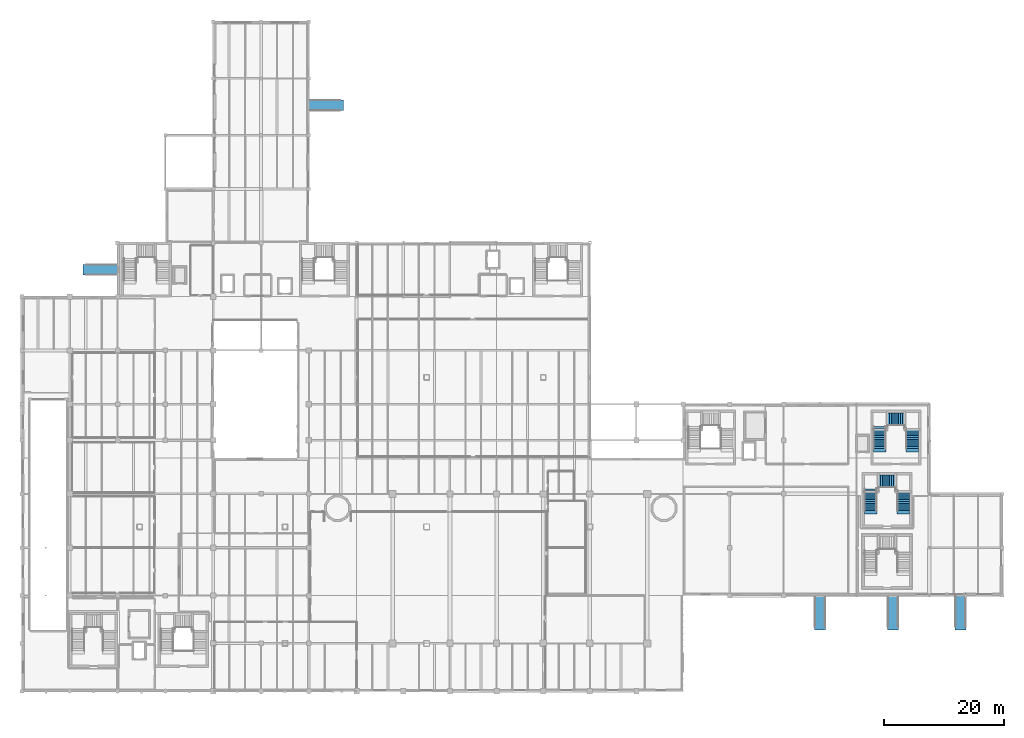
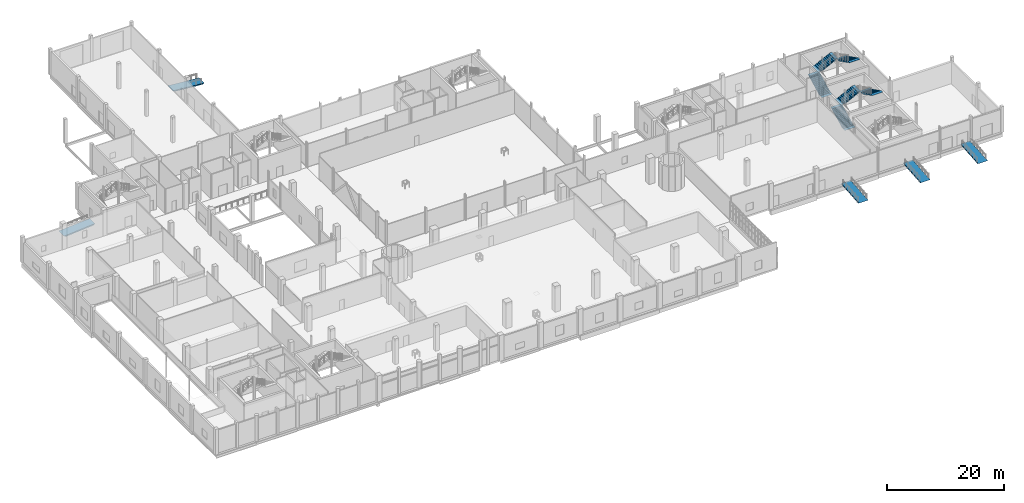
# One storey, part 49 of 57: 6 stair flights, 5 ramp flights, 7 elements without a shape of their own.
"""IFC4 building model written with IfcOpenShell, lengths in metres."""

import ifcopenshell
import ifcopenshell.guid

model = None  # the IFC model being written
_history = None  # IfcOwnerHistory: only IFC2X3 demands one
_inside = {}  # id of a spatial element -> (the spatial element, [elements in it])
_under = {}  # id of a project, library or spatial element -> (it, [spatial elements below it])
_declared = {}  # id of a project -> (the project, [libraries it declares])
_typed = {}  # id of a type object -> (the type object, [elements of that type])
_made_of = {}  # id of a material, layer set ... -> (it, [elements and type objects made of it])


def new_model(schema):
    """Start an empty IFC model of exactly this schema.

    Asked for "IFC4X3", IfcOpenShell would pick the latest addendum, in which some entities
    have other attributes; the version numbers below select the first issue.
    IFC2X3 requires an IfcOwnerHistory on every rooted entity: one is made here for all.
    """
    global model, _history
    if schema == "IFC4X3":
        model = ifcopenshell.file(schema_version=(4, 3, 0, 0))
    else:
        model = ifcopenshell.file(schema=schema)
    _inside.clear()
    _under.clear()
    _declared.clear()
    _typed.clear()
    _made_of.clear()
    _history = None
    if model.schema == "IFC2X3":
        org = make("IfcOrganization", Name="unknown")
        user = make(
            "IfcPersonAndOrganization",
            ThePerson=make("IfcPerson", FamilyName="unknown"),
            TheOrganization=org,
        )
        app = make(
            "IfcApplication",
            ApplicationDeveloper=org,
            Version="unknown",
            ApplicationFullName="unknown",
            ApplicationIdentifier="unknown",
        )
        _history = make(
            "IfcOwnerHistory",
            OwningUser=user,
            OwningApplication=app,
            ChangeAction="ADDED",
            CreationDate=0,
        )
    return model


def make(cls, **values):
    """One entity of the class cls with the attributes given. An attribute that is None is left unset."""
    return model.create_entity(
        cls, **{name: value for name, value in values.items() if value is not None}
    )


def rooted(cls, **values):
    """An entity with a GlobalId (a new one), such as an element, a storey or a relation."""
    return make(cls, GlobalId=ifcopenshell.guid.new(), OwnerHistory=_history, **values)


def si_unit(unit_type, name, prefix=None):
    """IfcSIUnit, for example si_unit("LENGTHUNIT", "METRE", prefix="MILLI")."""
    return make("IfcSIUnit", UnitType=unit_type, Prefix=prefix, Name=name)


def derived_unit(unit_type, elements):
    """IfcDerivedUnit: a product of units, each with its exponent."""
    return make(
        "IfcDerivedUnit",
        Elements=[
            make("IfcDerivedUnitElement", Unit=unit, Exponent=power)
            for unit, power in elements
        ],
        UnitType=unit_type,
    )


def assignment(units):
    """IfcUnitAssignment: the units of a project."""
    return None if units is None else make("IfcUnitAssignment", Units=units)


def point(xyz):
    """IfcCartesianPoint."""
    return None if xyz is None else make("IfcCartesianPoint", Coordinates=xyz)


def direction(xyz):
    """IfcDirection."""
    return None if xyz is None else make("IfcDirection", DirectionRatios=xyz)


def frame(location, z_axis=None, x_axis=None):
    """IfcAxis2Placement3D, a coordinate frame: its origin and axes. An axis left out is left unset."""
    return make(
        "IfcAxis2Placement3D",
        Location=point(location),
        Axis=direction(z_axis),
        RefDirection=direction(x_axis),
    )


def origin():
    """The frame at (0, 0, 0) with its axes left unset."""
    return frame((0.0, 0.0, 0.0))


def place(relative_to, where):
    """IfcLocalPlacement: puts the frame where relative to a parent placement (None: the world)."""
    return make(
        "IfcLocalPlacement", PlacementRelTo=relative_to, RelativePlacement=where
    )


def context(
    kind, dimensions, precision=None, world=None, true_north=None, identifier=None
):
    """IfcGeometricRepresentationContext, for example the 3D "Model" context."""
    return make(
        "IfcGeometricRepresentationContext",
        ContextIdentifier=identifier,
        ContextType=kind,
        CoordinateSpaceDimension=dimensions,
        Precision=precision,
        WorldCoordinateSystem=world,
        TrueNorth=true_north,
    )


def subcontext(parent, identifier, kind, view, scale=None):
    """IfcGeometricRepresentationSubContext, for example "Body" below "Model"."""
    return make(
        "IfcGeometricRepresentationSubContext",
        ContextIdentifier=identifier,
        ContextType=kind,
        ParentContext=parent,
        TargetScale=scale,
        TargetView=view,
    )


def project(units=None, contexts=None):
    """IfcProject with its units and contexts."""
    return rooted(
        "IfcProject",
        Name="project",
        RepresentationContexts=contexts,
        UnitsInContext=assignment(units),
    )


def spatial(cls, under=None, at=None, **own):
    """A site, building, storey or space (cls), placed at a placement, below another one or the project."""
    s = rooted(cls, ObjectPlacement=at, **own)
    if under is not None:
        _under.setdefault(under.id(), (under, []))[1].append(s)
    return s


def polyline(points):
    """IfcPolyline through the points."""
    return make("IfcPolyline", Points=[point(p) for p in points])


def outline(outer, holes=None, kind="AREA"):
    """IfcArbitraryClosedProfileDef: a profile drawn as a closed curve; with holes, ...WithVoids."""
    if holes is None:
        return make("IfcArbitraryClosedProfileDef", ProfileType=kind, OuterCurve=outer)
    return make(
        "IfcArbitraryProfileDefWithVoids",
        ProfileType=kind,
        OuterCurve=outer,
        InnerCurves=holes,
    )


def extrude(swept, where, along, depth):
    """IfcExtrudedAreaSolid: the profile swept, set in the frame where, extruded along a direction by depth."""
    return make(
        "IfcExtrudedAreaSolid",
        SweptArea=swept,
        Position=where,
        ExtrudedDirection=direction(along),
        Depth=depth,
    )


def shape(context_of_items, identifier, shape_type, items):
    """IfcShapeRepresentation: the items that make up one representation, for example the "Body"."""
    return make(
        "IfcShapeRepresentation",
        ContextOfItems=context_of_items,
        RepresentationIdentifier=identifier,
        RepresentationType=shape_type,
        Items=items,
    )


def material(Name=None, Category=None):
    """IfcMaterial."""
    return make("IfcMaterial", Name=Name, Category=Category)


def layer(
    of_material, thickness, ventilated=None, Name=None, Category=None, Priority=None
):
    """IfcMaterialLayer: one layer of a wall or slab, of a material (None: an air gap)."""
    return make(
        "IfcMaterialLayer",
        Material=of_material,
        LayerThickness=thickness,
        IsVentilated=ventilated,
        Name=Name,
        Category=Category,
        Priority=Priority,
    )


def layer_set(layers, Name=None):
    """IfcMaterialLayerSet."""
    return make("IfcMaterialLayerSet", MaterialLayers=layers, LayerSetName=Name)


def made_of(thing, what):
    """Note that an element or type object is made of a material, layer set ...; save() writes the relation."""
    if what is not None:
        _made_of.setdefault(what.id(), (what, []))[1].append(thing)
    return thing


def type_object(cls, material=None, **own):
    """A type object (cls), such as IfcWallType, which elements share."""
    return made_of(rooted(cls, **own), material)


def element(
    cls,
    number,
    at=None,
    inside=None,
    cuts=None,
    type_object=None,
    material=None,
    context=None,
    identifier="Body",
    shape_type=None,
    held_by="IfcProductDefinitionShape",
    body=None,
    shapes=None,
    **own,
):
    """One element of the class cls, such as IfcWall. Its Tag is "e" and its number.

    at: its placement. inside: the storey or other place that contains it. cuts: it is an
    opening in that element (IfcRelVoidsElement). A single representation is given by context,
    identifier, shape_type and body (its items); several are given by shapes. held_by: the class
    of the entity that holds the representations. save() writes the other relations.
    """
    e = rooted(cls, Tag="e%d" % number, ObjectPlacement=at, **own)
    if body is not None:
        shapes = [shape(context, identifier, shape_type, body)]
    if shapes is not None:
        e.Representation = make(held_by, Representations=shapes)
    if inside is not None:
        _inside.setdefault(inside.id(), (inside, []))[1].append(e)
    if cuts is not None:
        rooted(
            "IfcRelVoidsElement", RelatingBuildingElement=cuts, RelatedOpeningElement=e
        )
    if type_object is not None:
        _typed.setdefault(type_object.id(), (type_object, []))[1].append(e)
    return made_of(e, material)


def aggregate(whole, parts):
    """IfcRelAggregates: a whole, such as a stair, and the parts it consists of."""
    return rooted("IfcRelAggregates", RelatingObject=whole, RelatedObjects=parts)


def save(model, path):
    """Write the relations noted so far, then the file.

    IfcRelAggregates (storeys below a building ...), IfcRelContainedInSpatialStructure (elements
    in a storey), IfcRelDefinesByType, IfcRelAssociatesMaterial and IfcRelDeclares: one each for
    every whole, place, type object, material and project.
    """
    for whole, parts in _under.values():
        aggregate(whole, parts)
    for where, things in _inside.values():
        rooted(
            "IfcRelContainedInSpatialStructure",
            RelatedElements=things,
            RelatingStructure=where,
        )
    for kind, things in _typed.values():
        rooted("IfcRelDefinesByType", RelatedObjects=things, RelatingType=kind)
    for what, things in _made_of.values():
        rooted("IfcRelAssociatesMaterial", RelatedObjects=things, RelatingMaterial=what)
    for by, libraries in _declared.values():
        rooted("IfcRelDeclares", RelatingContext=by, RelatedDefinitions=libraries)
    model.write(path)


model = new_model("IFC4")

# Units and contexts
model_context = context("Model", 3, precision=1e-05, world=origin(), true_north=direction((0.0, 1.0)))
body_context = subcontext(model_context, "Body", "Model", "MODEL_VIEW")
ifc_project = project(units=[si_unit("LENGTHUNIT", "METRE"), si_unit("AREAUNIT", "SQUARE_METRE"), si_unit("VOLUMEUNIT", "CUBIC_METRE"), si_unit("PLANEANGLEUNIT", "RADIAN"), si_unit("MASSUNIT", "GRAM", prefix="KILO"), derived_unit("THERMALTRANSMITTANCEUNIT", [(si_unit("POWERUNIT", "WATT"), 1), (si_unit("LENGTHUNIT", "METRE"), -2), (si_unit("THERMODYNAMICTEMPERATUREUNIT", "KELVIN"), -1)])], contexts=[model_context])

# Site, building, storey
site_placement = place(None, origin())
site = spatial("IfcSite", under=ifc_project, at=site_placement, CompositionType="ELEMENT")
building_placement = place(site_placement, origin())
building = spatial("IfcBuilding", under=site, at=building_placement, Name="Nallur Shell Playhouse", CompositionType="ELEMENT")
storey_placement = place(building_placement, origin())
storey = spatial("IfcBuildingStorey", under=building, at=storey_placement, Name="L01", CompositionType="ELEMENT", Elevation=0.0)

# Stair, stair flights
ifc_material = material(Name="Concrete M35", Category="concrete")
stair_type = type_object("IfcStairType", Name="ST-CORE-54", PredefinedType="QUARTER_TURN_STAIR", material=ifc_material)
stair_1_placement = place(storey_placement, origin())
stair_1 = element("IfcStair", 1, at=stair_1_placement, inside=storey, type_object=stair_type, Name="Core JC-5 exit stair ST-05-L01 (L01 to L02)", PredefinedType="QUARTER_TURN_STAIR")
stair_flight_type = type_object("IfcStairFlightType", Name="ST-FLIGHT-212", PredefinedType="STRAIGHT", material=ifc_material)
stair_flight_1_placement = place(storey_placement, frame((151.469970703125, 48.60009765625, 0.0), z_axis=(0.0, 0.0, 1.0), x_axis=(0.0, 1.0, 0.0)))
stair_flight_1 = element("IfcStairFlight", 2, at=stair_flight_1_placement, type_object=stair_flight_type, Name="ST-54 flight 1", NumberOfRisers=13, NumberOfTreads=12, PredefinedType="STRAIGHT", RiserHeight=0.154286, TreadLength=0.305, context=body_context, shape_type="SweptSolid", body=[
    extrude(outline(polyline([(-0.580078125, 0.0), (-0.580078125, 0.01806640625), (0.0, 0.01806640625), (0.0, 0.154296875), (0.304931640625, 0.154296875), (0.304931640625, 0.30859375), (0.610107421875, 0.30859375), (0.610107421875, 0.462890625), (0.9150390625, 0.462890625), (0.9150390625, 0.6171875), (1.219970703125, 0.6171875), (1.219970703125, 0.771484375), (1.52490234375, 0.771484375), (1.52490234375, 0.92578125), (1.830078125, 0.92578125), (1.830078125, 1.080078125), (2.135009765625, 1.080078125), (2.135009765625, 1.234375), (2.43994140625, 1.234375), (2.43994140625, 1.388671875), (2.7451171875, 1.388671875), (2.7451171875, 1.54296875), (3.050048828125, 1.54296875), (3.050048828125, 1.697265625), (3.35498046875, 1.697265625), (3.35498046875, 1.851318359375), (3.659912109375, 1.851318359375), (3.659912109375, 2.005615234375), (4.239990234375, 2.005615234375), (4.239990234375, 1.987548828125), (3.659912109375, 1.672119140625), (0.354248046875, 0.0), (-0.580078125, 0.0)])), frame((0.0, 1.030029296875, 0.0), z_axis=(0.0, -1.0, 0.0), x_axis=(1.0, 0.0, 0.0)), (0.0, 0.0, 1.0), 2.06005859375),
])
stair_flight_2_placement = place(storey_placement, frame((152.827392578125, 53.510009765625, 2.005615234375), z_axis=(0.0, 0.0, 1.0), x_axis=(1.0, 0.0, 0.0)))
stair_flight_2 = element("IfcStairFlight", 3, at=stair_flight_2_placement, type_object=stair_flight_type, Name="ST-54 flight 2", NumberOfRisers=10, NumberOfTreads=9, PredefinedType="STRAIGHT", RiserHeight=0.154286, TreadLength=0.305, context=body_context, shape_type="SweptSolid", body=[
    extrude(outline(polyline([(-0.580078125, 0.0), (-0.580078125, 0.01806640625), (0.0, 0.01806640625), (0.0, 0.154296875), (0.304931640625, 0.154296875), (0.304931640625, 0.30859375), (0.610107421875, 0.30859375), (0.610107421875, 0.462890625), (0.9150390625, 0.462890625), (0.9150390625, 0.6171875), (1.219970703125, 0.6171875), (1.219970703125, 0.771484375), (1.52490234375, 0.771484375), (1.52490234375, 0.92578125), (1.830078125, 0.92578125), (1.830078125, 1.080078125), (2.135009765625, 1.080078125), (2.135009765625, 1.234375), (2.43994140625, 1.234375), (2.43994140625, 1.388671875), (2.7451171875, 1.388671875), (2.7451171875, 1.54296875), (3.3251953125, 1.54296875), (3.3251953125, 1.52490234375), (2.7451171875, 1.20947265625), (0.354248046875, 0.0), (-0.580078125, 0.0)])), frame((0.0, 1.030029296875, 0.0), z_axis=(0.0, -1.0, 0.0), x_axis=(1.0, 0.0, 0.0)), (0.0, 0.0, 1.0), 2.06005859375),
])
stair_flight_3_placement = place(storey_placement, frame((156.929931640625, 51.955078125, 3.548583984375), z_axis=(0.0, 0.0, 1.0), x_axis=(0.0, -1.0, 0.0)))
stair_flight_3 = element("IfcStairFlight", 4, at=stair_flight_3_placement, type_object=stair_flight_type, Name="ST-54 flight 3", NumberOfRisers=12, NumberOfTreads=11, PredefinedType="STRAIGHT", RiserHeight=0.154286, TreadLength=0.305, context=body_context, shape_type="SweptSolid", body=[
    extrude(outline(polyline([(-0.580078125, 0.0), (-0.580078125, 0.01806640625), (0.0, 0.01806640625), (0.0, 0.154296875), (0.304931640625, 0.154296875), (0.304931640625, 0.30859375), (0.610107421875, 0.30859375), (0.610107421875, 0.462890625), (0.9150390625, 0.462890625), (0.9150390625, 0.6171875), (1.219970703125, 0.6171875), (1.219970703125, 0.771484375), (1.52490234375, 0.771484375), (1.52490234375, 0.92578125), (1.830078125, 0.92578125), (1.830078125, 1.080078125), (2.135009765625, 1.080078125), (2.135009765625, 1.234375), (2.43994140625, 1.234375), (2.43994140625, 1.388671875), (2.7451171875, 1.388671875), (2.7451171875, 1.54296875), (3.050048828125, 1.54296875), (3.050048828125, 1.697265625), (3.35498046875, 1.697265625), (3.35498046875, 1.851318359375), (3.93505859375, 1.851318359375), (3.93505859375, 1.833251953125), (3.35498046875, 1.517822265625), (0.354248046875, 0.0), (-0.580078125, 0.0)])), frame((0.0, 1.030029296875, 0.0), z_axis=(0.0, -1.0, 0.0), x_axis=(1.0, 0.0, 0.0)), (0.0, 0.0, 1.0), 2.06005859375),
])
aggregate(stair_1, [stair_flight_1, stair_flight_2, stair_flight_3])

stair_2_placement = place(storey_placement, origin())
stair_2 = element("IfcStair", 5, at=stair_2_placement, inside=storey, type_object=stair_type, Name="Core JC-9 exit stair ST-09-L01 (L01 to L02)", PredefinedType="QUARTER_TURN_STAIR")
stair_flight_4_placement = place(storey_placement, frame((149.969970703125, 38.199951171875, 0.0), z_axis=(0.0, 0.0, 1.0), x_axis=(0.0, 1.0, 0.0)))
stair_flight_4 = element("IfcStairFlight", 6, at=stair_flight_4_placement, type_object=stair_flight_type, Name="ST-54 flight 1", NumberOfRisers=13, NumberOfTreads=12, PredefinedType="STRAIGHT", RiserHeight=0.154286, TreadLength=0.305, context=body_context, shape_type="SweptSolid", body=[
    extrude(outline(polyline([(-0.580078125, 0.0), (-0.580078125, 0.01806640625), (0.0, 0.01806640625), (0.0, 0.154296875), (0.304931640625, 0.154296875), (0.304931640625, 0.30859375), (0.610107421875, 0.30859375), (0.610107421875, 0.462890625), (0.9150390625, 0.462890625), (0.9150390625, 0.6171875), (1.219970703125, 0.6171875), (1.219970703125, 0.771484375), (1.52490234375, 0.771484375), (1.52490234375, 0.92578125), (1.830078125, 0.92578125), (1.830078125, 1.080078125), (2.135009765625, 1.080078125), (2.135009765625, 1.234375), (2.43994140625, 1.234375), (2.43994140625, 1.388671875), (2.7451171875, 1.388671875), (2.7451171875, 1.54296875), (3.050048828125, 1.54296875), (3.050048828125, 1.697265625), (3.35498046875, 1.697265625), (3.35498046875, 1.851318359375), (3.659912109375, 1.851318359375), (3.659912109375, 2.005615234375), (4.239990234375, 2.005615234375), (4.239990234375, 1.987548828125), (3.659912109375, 1.672119140625), (0.354248046875, 0.0), (-0.580078125, 0.0)])), frame((0.0, 1.030029296875, 0.0), z_axis=(0.0, -1.0, 0.0), x_axis=(1.0, 0.0, 0.0)), (0.0, 0.0, 1.0), 2.06005859375),
])
stair_flight_5_placement = place(storey_placement, frame((151.327392578125, 43.110107421875, 2.005615234375), z_axis=(0.0, 0.0, 1.0), x_axis=(1.0, 0.0, 0.0)))
stair_flight_5 = element("IfcStairFlight", 7, at=stair_flight_5_placement, type_object=stair_flight_type, Name="ST-54 flight 2", NumberOfRisers=10, NumberOfTreads=9, PredefinedType="STRAIGHT", RiserHeight=0.154286, TreadLength=0.305, context=body_context, shape_type="SweptSolid", body=[
    extrude(outline(polyline([(-0.580078125, 0.0), (-0.580078125, 0.01806640625), (0.0, 0.01806640625), (0.0, 0.154296875), (0.304931640625, 0.154296875), (0.304931640625, 0.30859375), (0.610107421875, 0.30859375), (0.610107421875, 0.462890625), (0.9150390625, 0.462890625), (0.9150390625, 0.6171875), (1.219970703125, 0.6171875), (1.219970703125, 0.771484375), (1.52490234375, 0.771484375), (1.52490234375, 0.92578125), (1.830078125, 0.92578125), (1.830078125, 1.080078125), (2.135009765625, 1.080078125), (2.135009765625, 1.234375), (2.43994140625, 1.234375), (2.43994140625, 1.388671875), (2.7451171875, 1.388671875), (2.7451171875, 1.54296875), (3.3251953125, 1.54296875), (3.3251953125, 1.52490234375), (2.7451171875, 1.20947265625), (0.354248046875, 0.0), (-0.580078125, 0.0)])), frame((0.0, 1.030029296875, 0.0), z_axis=(0.0, -1.0, 0.0), x_axis=(1.0, 0.0, 0.0)), (0.0, 0.0, 1.0), 2.06005859375),
])
stair_flight_6_placement = place(storey_placement, frame((155.429931640625, 41.554931640625, 3.548583984375), z_axis=(0.0, 0.0, 1.0), x_axis=(0.0, -1.0, 0.0)))
stair_flight_6 = element("IfcStairFlight", 8, at=stair_flight_6_placement, type_object=stair_flight_type, Name="ST-54 flight 3", NumberOfRisers=12, NumberOfTreads=11, PredefinedType="STRAIGHT", RiserHeight=0.154286, TreadLength=0.305, context=body_context, shape_type="SweptSolid", body=[
    extrude(outline(polyline([(-0.580078125, 0.0), (-0.580078125, 0.01806640625), (0.0, 0.01806640625), (0.0, 0.154296875), (0.304931640625, 0.154296875), (0.304931640625, 0.30859375), (0.610107421875, 0.30859375), (0.610107421875, 0.462890625), (0.9150390625, 0.462890625), (0.9150390625, 0.6171875), (1.219970703125, 0.6171875), (1.219970703125, 0.771484375), (1.52490234375, 0.771484375), (1.52490234375, 0.92578125), (1.830078125, 0.92578125), (1.830078125, 1.080078125), (2.135009765625, 1.080078125), (2.135009765625, 1.234375), (2.43994140625, 1.234375), (2.43994140625, 1.388671875), (2.7451171875, 1.388671875), (2.7451171875, 1.54296875), (3.050048828125, 1.54296875), (3.050048828125, 1.697265625), (3.35498046875, 1.697265625), (3.35498046875, 1.851318359375), (3.93505859375, 1.851318359375), (3.93505859375, 1.833251953125), (3.35498046875, 1.517822265625), (0.354248046875, 0.0), (-0.580078125, 0.0)])), frame((0.0, 1.030029296875, 0.0), z_axis=(0.0, -1.0, 0.0), x_axis=(1.0, 0.0, 0.0)), (0.0, 0.0, 1.0), 2.06005859375),
])
aggregate(stair_2, [stair_flight_4, stair_flight_5, stair_flight_6])

# Ramp, ramp flight
ifc_layer_1 = layer(ifc_material, 0.219970703125)
ifc_layer_set_1 = layer_set([ifc_layer_1], Name="Concrete M35")
ramp_type_1 = type_object("IfcRampType", Name="RM-TYPE-02", PredefinedType="STRAIGHT_RUN_RAMP", material=ifc_layer_set_1)
ramp_1_placement = place(storey_placement, origin())
ramp_1 = element("IfcRamp", 9, at=ramp_1_placement, inside=storey, type_object=ramp_type_1, Name="Studio South Forecourt Accessible Ramp", PredefinedType="STRAIGHT_RUN_RAMP")
ifc_layer_2 = layer(ifc_material, 0.219970703125)
ifc_layer_set_2 = layer_set([ifc_layer_2], Name="Concrete M35")
ramp_flight_type_1 = type_object("IfcRampFlightType", Name="RF-TYPE-02", PredefinedType="STRAIGHT", material=ifc_layer_set_2)
ramp_flight_1_placement = place(storey_placement, frame((141.5, 18.60009765625, -0.449951171875), z_axis=(0.0, 0.0, 1.0), x_axis=(0.0, 1.0, 0.0)))
ramp_flight_1 = element("IfcRampFlight", 10, at=ramp_flight_1_placement, type_object=ramp_flight_type_1, Name="Studio South Forecourt Accessible Ramp flight 1", PredefinedType="STRAIGHT", context=body_context, shape_type="SweptSolid", body=[
    extrude(outline(polyline([(-0.35009765625, 0.0), (-0.35009765625, 0.00390625), (0.0, 0.00390625), (5.39990234375, 0.449951171875), (5.75, 0.449951171875), (5.75, 0.446044921875), (5.39990234375, 0.229248046875), (0.0, -0.220703125), (-0.35009765625, 0.0)])), frame((0.0, 0.89990234375, 0.0), z_axis=(0.0, -1.0, 0.0), x_axis=(1.0, 0.0, 0.0)), (0.0, 0.0, 1.0), 1.800048828125),
])
aggregate(ramp_1, [ramp_flight_1])

ramp_2_placement = place(storey_placement, origin())
ramp_2 = element("IfcRamp", 11, at=ramp_2_placement, inside=storey, type_object=ramp_type_1, Name="East Colonnade South Accessible Ramp", PredefinedType="STRAIGHT_RUN_RAMP")
ramp_flight_2_placement = place(storey_placement, frame((165.0, 18.60009765625, -0.449951171875), z_axis=(0.0, 0.0, 1.0), x_axis=(0.0, 1.0, 0.0)))
ramp_flight_2 = element("IfcRampFlight", 12, at=ramp_flight_2_placement, type_object=ramp_flight_type_1, Name="East Colonnade South Accessible Ramp flight 1", PredefinedType="STRAIGHT", context=body_context, shape_type="SweptSolid", body=[
    extrude(outline(polyline([(-0.35009765625, 0.0), (-0.35009765625, 0.00390625), (0.0, 0.00390625), (5.39990234375, 0.449951171875), (5.75, 0.449951171875), (5.75, 0.446044921875), (5.39990234375, 0.229248046875), (0.0, -0.220703125), (-0.35009765625, 0.0)])), frame((0.0, 0.89990234375, 0.0), z_axis=(0.0, -1.0, 0.0), x_axis=(1.0, 0.0, 0.0)), (0.0, 0.0, 1.0), 1.800048828125),
])
aggregate(ramp_2, [ramp_flight_2])

ramp_3_placement = place(storey_placement, origin())
ramp_3 = element("IfcRamp", 13, at=ramp_3_placement, inside=storey, type_object=ramp_type_1, Name="Paint Yard East Accessible Ramp", PredefinedType="STRAIGHT_RUN_RAMP")
ramp_flight_3_placement = place(storey_placement, frame((61.39990234375, 106.0, -0.449951171875), z_axis=(0.0, 0.0, 1.0), x_axis=(-1.0, 0.0, 0.0)))
ramp_flight_3 = element("IfcRampFlight", 14, at=ramp_flight_3_placement, type_object=ramp_flight_type_1, Name="Paint Yard East Accessible Ramp flight 1", PredefinedType="STRAIGHT", context=body_context, shape_type="SweptSolid", body=[
    extrude(outline(polyline([(-0.35009765625, 0.0), (-0.35009765625, 0.00390625), (0.0, 0.00390625), (5.39990234375, 0.449951171875), (5.75, 0.449951171875), (5.75, 0.446044921875), (5.39990234375, 0.229248046875), (0.0, -0.220703125), (-0.35009765625, 0.0)])), frame((0.0, 0.89990234375, 0.0), z_axis=(0.0, -1.0, 0.0), x_axis=(1.0, 0.0, 0.0)), (0.0, 0.0, 1.0), 1.800048828125),
])
aggregate(ramp_3, [ramp_flight_3])

ifc_layer_3 = layer(ifc_material, 0.239990234375)
ifc_layer_set_3 = layer_set([ifc_layer_3], Name="Concrete M35")
ramp_type_2 = type_object("IfcRampType", Name="RM-TYPE-03", PredefinedType="STRAIGHT_RUN_RAMP", material=ifc_layer_set_3)
ramp_4_placement = place(storey_placement, origin())
ramp_4 = element("IfcRamp", 15, at=ramp_4_placement, inside=storey, type_object=ramp_type_2, Name="Bookshop South Forecourt Accessible Ramp", PredefinedType="STRAIGHT_RUN_RAMP")
ifc_layer_4 = layer(ifc_material, 0.239990234375)
ifc_layer_set_4 = layer_set([ifc_layer_4], Name="Concrete M35")
ramp_flight_type_2 = type_object("IfcRampFlightType", Name="RF-TYPE-03", PredefinedType="STRAIGHT", material=ifc_layer_set_4)
ramp_flight_4_placement = place(storey_placement, frame((153.699951171875, 18.60009765625, -0.449951171875), z_axis=(0.0, 0.0, 1.0), x_axis=(0.0, 1.0, 0.0)))
ramp_flight_4 = element("IfcRampFlight", 16, at=ramp_flight_4_placement, type_object=ramp_flight_type_2, Name="Bookshop South Forecourt Accessible Ramp flight 1", PredefinedType="STRAIGHT", context=body_context, shape_type="SweptSolid", body=[
    extrude(outline(polyline([(-0.35009765625, 0.0), (-0.35009765625, 0.00390625), (0.0, 0.00390625), (5.39990234375, 0.449951171875), (5.75, 0.449951171875), (5.75, 0.446044921875), (5.39990234375, 0.209228515625), (0.0, -0.24072265625), (-0.35009765625, 0.0)])), frame((0.0, 0.89990234375, 0.0), z_axis=(0.0, -1.0, 0.0), x_axis=(1.0, 0.0, 0.0)), (0.0, 0.0, 1.0), 1.800048828125),
])
aggregate(ramp_4, [ramp_flight_4])

ramp_5_placement = place(storey_placement, origin())
ramp_5 = element("IfcRamp", 17, at=ramp_5_placement, inside=storey, type_object=ramp_type_2, Name="Carpentry West Forecourt Accessible Ramp", PredefinedType="STRAIGHT_RUN_RAMP")
ramp_flight_5_placement = place(storey_placement, frame((18.60009765625, 78.5, -0.449951171875), z_axis=(0.0, 0.0, 1.0), x_axis=(1.0, 0.0, 0.0)))
ramp_flight_5 = element("IfcRampFlight", 18, at=ramp_flight_5_placement, type_object=ramp_flight_type_2, Name="Carpentry West Forecourt Accessible Ramp flight 1", PredefinedType="STRAIGHT", context=body_context, shape_type="SweptSolid", body=[
    extrude(outline(polyline([(-0.35009765625, 0.0), (-0.35009765625, 0.00390625), (0.0, 0.00390625), (5.39990234375, 0.449951171875), (5.75, 0.449951171875), (5.75, 0.446044921875), (5.39990234375, 0.209228515625), (0.0, -0.24072265625), (-0.35009765625, 0.0)])), frame((0.0, 0.89990234375, 0.0), z_axis=(0.0, -1.0, 0.0), x_axis=(1.0, 0.0, 0.0)), (0.0, 0.0, 1.0), 1.800048828125),
])
aggregate(ramp_5, [ramp_flight_5])

save(model, "model.ifc")
